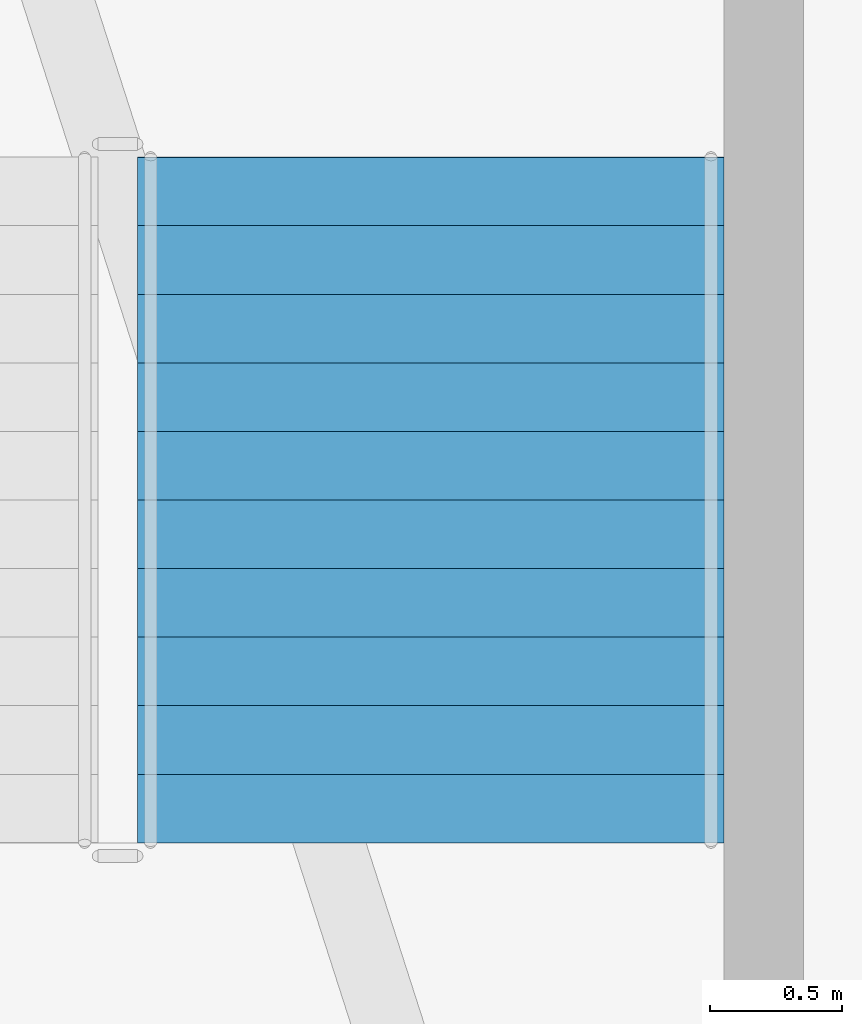
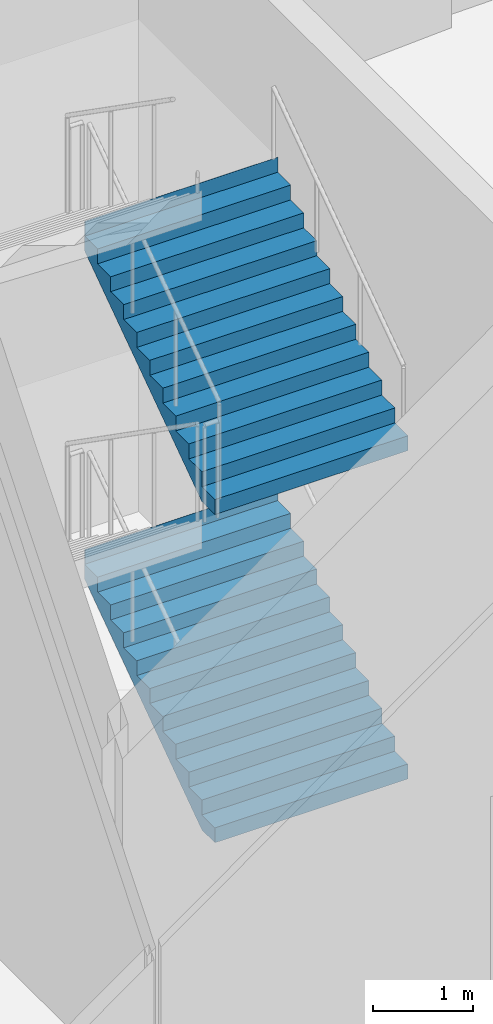
# One storey, part 30 of 36: 2 stair flights, 1 element without a shape of its own.
"""IFC4 building model written with IfcOpenShell, lengths in metres."""

from ifc_helpers import new_model, si_unit, direction, frame, origin, place, context, subcontext, project, spatial, triangles, material, type_object, element, aggregate, save


model = new_model("IFC4")

# Units and contexts
model_context = context("Model", 3, precision=1e-05, world=origin(), true_north=direction((0.0, 1.0)))
body_context = subcontext(model_context, "Body", "Model", "MODEL_VIEW")
ifc_project = project(units=[si_unit("LENGTHUNIT", "METRE"), si_unit("AREAUNIT", "SQUARE_METRE"), si_unit("VOLUMEUNIT", "CUBIC_METRE"), si_unit("PLANEANGLEUNIT", "RADIAN"), si_unit("MASSUNIT", "GRAM", prefix="KILO")], contexts=[model_context])

# Site, building, storey
site_placement = place(None, origin())
site = spatial("IfcSite", under=ifc_project, at=site_placement, CompositionType="ELEMENT")
building_placement = place(site_placement, origin())
building = spatial("IfcBuilding", under=site, at=building_placement, Name="Sahrelin Media Tower", CompositionType="ELEMENT")
storey_placement = place(building_placement, origin())
storey = spatial("IfcBuildingStorey", under=building, at=storey_placement, Name="L00", CompositionType="ELEMENT", Elevation=0.0)

# Stair, stair flights
ifc_material = material(Name="Concrete C40/50", Category="concrete")
stair_type = type_object("IfcStairType", Name="Podium stair 2225", PredefinedType="HALF_TURN_STAIR", material=ifc_material)
stair_placement = place(storey_placement, origin())
stair = element("IfcStair", 1, at=stair_placement, inside=storey, type_object=stair_type, Name="L00 Podium stair PS2", PredefinedType="HALF_TURN_STAIR")
stair_flight_type = type_object("IfcStairFlightType", Name="Stair flight 2225", PredefinedType="STRAIGHT", material=ifc_material)
stair_flight_1_placement = place(storey_placement, frame((-9.46240234375, 30.625, 0.0), z_axis=(0.0, 0.0, 1.0), x_axis=(0.0, 1.0, 0.0)))
stair_flight_1 = element("IfcStairFlight", 2, at=stair_flight_1_placement, type_object=stair_flight_type, Name="PS2 flight 1", NumberOfRisers=11, NumberOfTreads=10, PredefinedType="STRAIGHT", RiserHeight=0.181818182, TreadLength=0.26, context=body_context, shape_type="Tessellation", body=[
    triangles([(0.261474609375, 1.112548828125, 0.0), (0.261474609375, 0.794677734375, 0.0), (0.261474609375, 0.476806640625, 0.0), (0.261474609375, 0.158935546875, 0.0), (0.261474609375, -0.158935546875, 0.0), (0.261474609375, -0.476806640625, 0.0), (0.261474609375, -0.794677734375, 0.0), (0.261474609375, -1.112548828125, 0.0), (2.60009765625, 1.112548828125, 1.63525390625), (2.60009765625, 0.794677734375, 1.63525390625), (2.60009765625, 0.476806640625, 1.63525390625), (2.60009765625, 0.158935546875, 1.63525390625), (2.60009765625, -0.158935546875, 1.63525390625), (2.60009765625, -0.476806640625, 1.63525390625), (2.60009765625, -0.794677734375, 1.63525390625), (2.60009765625, -1.112548828125, 1.63525390625), (2.60009765625, 1.112548828125, 2.0), (2.60009765625, 0.794677734375, 2.0), (2.60009765625, 0.476806640625, 2.0), (2.60009765625, 0.158935546875, 2.0), (2.60009765625, -0.158935546875, 2.0), (2.60009765625, -0.476806640625, 2.0), (2.60009765625, -0.794677734375, 2.0), (2.60009765625, -1.112548828125, 2.0), (2.597900390625, 1.112548828125, 2.0), (2.597900390625, 0.794677734375, 2.0), (2.597900390625, 0.476806640625, 2.0), (2.597900390625, 0.158935546875, 2.0), (2.597900390625, -0.158935546875, 2.0), (2.597900390625, -0.476806640625, 2.0), (2.597900390625, -0.794677734375, 2.0), (2.597900390625, -1.112548828125, 2.0), (2.597900390625, 1.112548828125, 1.818115234375), (2.597900390625, 0.794677734375, 1.818115234375), (2.597900390625, 0.476806640625, 1.818115234375), (2.597900390625, 0.158935546875, 1.818115234375), (2.597900390625, -0.158935546875, 1.818115234375), (2.597900390625, -0.476806640625, 1.818115234375), (2.597900390625, -0.794677734375, 1.818115234375), (2.597900390625, -1.112548828125, 1.818115234375), (2.340087890625, 1.112548828125, 1.818115234375), (2.340087890625, 0.794677734375, 1.818115234375), (2.340087890625, 0.476806640625, 1.818115234375), (2.340087890625, 0.158935546875, 1.818115234375), (2.340087890625, -0.158935546875, 1.818115234375), (2.340087890625, -0.476806640625, 1.818115234375), (2.340087890625, -0.794677734375, 1.818115234375), (2.340087890625, -1.112548828125, 1.818115234375), (2.340087890625, 1.112548828125, 1.636474609375), (2.340087890625, 0.794677734375, 1.636474609375), (2.340087890625, 0.476806640625, 1.636474609375), (2.340087890625, 0.158935546875, 1.636474609375), (2.340087890625, -0.158935546875, 1.636474609375), (2.340087890625, -0.476806640625, 1.636474609375), (2.340087890625, -0.794677734375, 1.636474609375), (2.340087890625, -1.112548828125, 1.636474609375), (2.080078125, 1.112548828125, 1.636474609375), (2.080078125, 0.794677734375, 1.636474609375), (2.080078125, 0.476806640625, 1.636474609375), (2.080078125, 0.158935546875, 1.636474609375), (2.080078125, -0.158935546875, 1.636474609375), (2.080078125, -0.476806640625, 1.636474609375), (2.080078125, -0.794677734375, 1.636474609375), (2.080078125, -1.112548828125, 1.636474609375), (2.080078125, 1.112548828125, 1.45458984375), (2.080078125, 0.794677734375, 1.45458984375), (2.080078125, 0.476806640625, 1.45458984375), (2.080078125, 0.158935546875, 1.45458984375), (2.080078125, -0.158935546875, 1.45458984375), (2.080078125, -0.476806640625, 1.45458984375), (2.080078125, -0.794677734375, 1.45458984375), (2.080078125, -1.112548828125, 1.45458984375), (1.820068359375, 1.112548828125, 1.45458984375), (1.820068359375, 0.794677734375, 1.45458984375), (1.820068359375, 0.476806640625, 1.45458984375), (1.820068359375, 0.158935546875, 1.45458984375), (1.820068359375, -0.158935546875, 1.45458984375), (1.820068359375, -0.476806640625, 1.45458984375), (1.820068359375, -0.794677734375, 1.45458984375), (1.820068359375, -1.112548828125, 1.45458984375), (1.820068359375, 1.112548828125, 1.272705078125), (1.820068359375, 0.794677734375, 1.272705078125), (1.820068359375, 0.476806640625, 1.272705078125), (1.820068359375, 0.158935546875, 1.272705078125), (1.820068359375, -0.158935546875, 1.272705078125), (1.820068359375, -0.476806640625, 1.272705078125), (1.820068359375, -0.794677734375, 1.272705078125), (1.820068359375, -1.112548828125, 1.272705078125), (1.56005859375, 1.112548828125, 1.272705078125), (1.56005859375, 0.794677734375, 1.272705078125), (1.56005859375, 0.476806640625, 1.272705078125), (1.56005859375, 0.158935546875, 1.272705078125), (1.56005859375, -0.158935546875, 1.272705078125), (1.56005859375, -0.476806640625, 1.272705078125), (1.56005859375, -0.794677734375, 1.272705078125), (1.56005859375, -1.112548828125, 1.272705078125), (1.56005859375, 1.112548828125, 1.0908203125), (1.56005859375, 0.794677734375, 1.0908203125), (1.56005859375, 0.476806640625, 1.0908203125), (1.56005859375, 0.158935546875, 1.0908203125), (1.56005859375, -0.158935546875, 1.0908203125), (1.56005859375, -0.476806640625, 1.0908203125), (1.56005859375, -0.794677734375, 1.0908203125), (1.56005859375, -1.112548828125, 1.0908203125), (1.300048828125, 1.112548828125, 1.0908203125), (1.300048828125, 0.794677734375, 1.0908203125), (1.300048828125, 0.476806640625, 1.0908203125), (1.300048828125, 0.158935546875, 1.0908203125), (1.300048828125, -0.158935546875, 1.0908203125), (1.300048828125, -0.476806640625, 1.0908203125), (1.300048828125, -0.794677734375, 1.0908203125), (1.300048828125, -1.112548828125, 1.0908203125), (1.300048828125, 1.112548828125, 0.9091796875), (1.300048828125, 0.794677734375, 0.9091796875), (1.300048828125, 0.476806640625, 0.9091796875), (1.300048828125, 0.158935546875, 0.9091796875), (1.300048828125, -0.158935546875, 0.9091796875), (1.300048828125, -0.476806640625, 0.9091796875), (1.300048828125, -0.794677734375, 0.9091796875), (1.300048828125, -1.112548828125, 0.9091796875), (1.0400390625, 1.112548828125, 0.9091796875), (1.0400390625, 0.794677734375, 0.9091796875), (1.0400390625, 0.476806640625, 0.9091796875), (1.0400390625, 0.158935546875, 0.9091796875), (1.0400390625, -0.158935546875, 0.9091796875), (1.0400390625, -0.476806640625, 0.9091796875), (1.0400390625, -0.794677734375, 0.9091796875), (1.0400390625, -1.112548828125, 0.9091796875), (1.0400390625, 1.112548828125, 0.727294921875), (1.0400390625, 0.794677734375, 0.727294921875), (1.0400390625, 0.476806640625, 0.727294921875), (1.0400390625, 0.158935546875, 0.727294921875), (1.0400390625, -0.158935546875, 0.727294921875), (1.0400390625, -0.476806640625, 0.727294921875), (1.0400390625, -0.794677734375, 0.727294921875), (1.0400390625, -1.112548828125, 0.727294921875), (0.780029296875, 1.112548828125, 0.727294921875), (0.780029296875, 0.794677734375, 0.727294921875), (0.780029296875, 0.476806640625, 0.727294921875), (0.780029296875, 0.158935546875, 0.727294921875), (0.780029296875, -0.158935546875, 0.727294921875), (0.780029296875, -0.476806640625, 0.727294921875), (0.780029296875, -0.794677734375, 0.727294921875), (0.780029296875, -1.112548828125, 0.727294921875), (0.780029296875, 1.112548828125, 0.54541015625), (0.780029296875, 0.794677734375, 0.54541015625), (0.780029296875, 0.476806640625, 0.54541015625), (0.780029296875, 0.158935546875, 0.54541015625), (0.780029296875, -0.158935546875, 0.54541015625), (0.780029296875, -0.476806640625, 0.54541015625), (0.780029296875, -0.794677734375, 0.54541015625), (0.780029296875, -1.112548828125, 0.54541015625), (0.52001953125, 1.112548828125, 0.54541015625), (0.52001953125, 0.794677734375, 0.54541015625), (0.52001953125, 0.476806640625, 0.54541015625), (0.52001953125, 0.158935546875, 0.54541015625), (0.52001953125, -0.158935546875, 0.54541015625), (0.52001953125, -0.476806640625, 0.54541015625), (0.52001953125, -0.794677734375, 0.54541015625), (0.52001953125, -1.112548828125, 0.54541015625), (0.52001953125, 1.112548828125, 0.363525390625), (0.52001953125, 0.794677734375, 0.363525390625), (0.52001953125, 0.476806640625, 0.363525390625), (0.52001953125, 0.158935546875, 0.363525390625), (0.52001953125, -0.158935546875, 0.363525390625), (0.52001953125, -0.476806640625, 0.363525390625), (0.52001953125, -0.794677734375, 0.363525390625), (0.52001953125, -1.112548828125, 0.363525390625), (0.260009765625, 1.112548828125, 0.363525390625), (0.260009765625, 0.794677734375, 0.363525390625), (0.260009765625, 0.476806640625, 0.363525390625), (0.260009765625, 0.158935546875, 0.363525390625), (0.260009765625, -0.158935546875, 0.363525390625), (0.260009765625, -0.476806640625, 0.363525390625), (0.260009765625, -0.794677734375, 0.363525390625), (0.260009765625, -1.112548828125, 0.363525390625), (0.260009765625, 1.112548828125, 0.181884765625), (0.260009765625, 0.794677734375, 0.181884765625), (0.260009765625, 0.476806640625, 0.181884765625), (0.260009765625, 0.158935546875, 0.181884765625), (0.260009765625, -0.158935546875, 0.181884765625), (0.260009765625, -0.476806640625, 0.181884765625), (0.260009765625, -0.794677734375, 0.181884765625), (0.260009765625, -1.112548828125, 0.181884765625), (0.0, 1.112548828125, 0.181884765625), (0.0, 0.794677734375, 0.181884765625), (0.0, 0.476806640625, 0.181884765625), (0.0, 0.158935546875, 0.181884765625), (0.0, -0.158935546875, 0.181884765625), (0.0, -0.476806640625, 0.181884765625), (0.0, -0.794677734375, 0.181884765625), (0.0, -1.112548828125, 0.181884765625), (0.0, 1.112548828125, 0.0), (0.0, 0.794677734375, 0.0), (0.0, 0.476806640625, 0.0), (0.0, 0.158935546875, 0.0), (0.0, -0.158935546875, 0.0), (0.0, -0.476806640625, 0.0), (0.0, -0.794677734375, 0.0), (0.0, -1.112548828125, 0.0)], [[1, 9, 10], [1, 10, 2], [2, 10, 11], [2, 11, 3], [3, 11, 12], [3, 12, 4], [4, 12, 13], [4, 13, 5], [5, 13, 14], [5, 14, 6], [6, 14, 15], [6, 15, 7], [7, 15, 16], [7, 16, 8], [9, 17, 18], [9, 18, 10], [10, 18, 19], [10, 19, 11], [11, 19, 20], [11, 20, 12], [12, 20, 21], [12, 21, 13], [13, 21, 22], [13, 22, 14], [14, 22, 23], [14, 23, 15], [15, 23, 24], [15, 24, 16], [17, 25, 26], [17, 26, 18], [18, 26, 27], [18, 27, 19], [19, 27, 28], [19, 28, 20], [20, 28, 29], [20, 29, 21], [21, 29, 30], [21, 30, 22], [22, 30, 31], [22, 31, 23], [23, 31, 32], [23, 32, 24], [25, 33, 34], [25, 34, 26], [26, 34, 35], [26, 35, 27], [27, 35, 36], [27, 36, 28], [28, 36, 37], [28, 37, 29], [29, 37, 38], [29, 38, 30], [30, 38, 39], [30, 39, 31], [31, 39, 40], [31, 40, 32], [33, 41, 42], [33, 42, 34], [34, 42, 43], [34, 43, 35], [35, 43, 44], [35, 44, 36], [36, 44, 45], [36, 45, 37], [37, 45, 46], [37, 46, 38], [38, 46, 47], [38, 47, 39], [39, 47, 48], [39, 48, 40], [41, 49, 50], [41, 50, 42], [42, 50, 51], [42, 51, 43], [43, 51, 52], [43, 52, 44], [44, 52, 53], [44, 53, 45], [45, 53, 54], [45, 54, 46], [46, 54, 55], [46, 55, 47], [47, 55, 56], [47, 56, 48], [49, 57, 58], [49, 58, 50], [50, 58, 59], [50, 59, 51], [51, 59, 60], [51, 60, 52], [52, 60, 61], [52, 61, 53], [53, 61, 62], [53, 62, 54], [54, 62, 63], [54, 63, 55], [55, 63, 64], [55, 64, 56], [57, 65, 66], [57, 66, 58], [58, 66, 67], [58, 67, 59], [59, 67, 68], [59, 68, 60], [60, 68, 69], [60, 69, 61], [61, 69, 70], [61, 70, 62], [62, 70, 71], [62, 71, 63], [63, 71, 72], [63, 72, 64], [65, 73, 74], [65, 74, 66], [66, 74, 75], [66, 75, 67], [67, 75, 76], [67, 76, 68], [68, 76, 77], [68, 77, 69], [69, 77, 78], [69, 78, 70], [70, 78, 79], [70, 79, 71], [71, 79, 80], [71, 80, 72], [73, 81, 82], [73, 82, 74], [74, 82, 83], [74, 83, 75], [75, 83, 84], [75, 84, 76], [76, 84, 85], [76, 85, 77], [77, 85, 86], [77, 86, 78], [78, 86, 87], [78, 87, 79], [79, 87, 88], [79, 88, 80], [81, 89, 90], [81, 90, 82], [82, 90, 91], [82, 91, 83], [83, 91, 92], [83, 92, 84], [84, 92, 93], [84, 93, 85], [85, 93, 94], [85, 94, 86], [86, 94, 95], [86, 95, 87], [87, 95, 96], [87, 96, 88], [89, 97, 98], [89, 98, 90], [90, 98, 99], [90, 99, 91], [91, 99, 100], [91, 100, 92], [92, 100, 101], [92, 101, 93], [93, 101, 102], [93, 102, 94], [94, 102, 103], [94, 103, 95], [95, 103, 104], [95, 104, 96], [97, 105, 106], [97, 106, 98], [98, 106, 107], [98, 107, 99], [99, 107, 108], [99, 108, 100], [100, 108, 109], [100, 109, 101], [101, 109, 110], [101, 110, 102], [102, 110, 111], [102, 111, 103], [103, 111, 112], [103, 112, 104], [105, 113, 114], [105, 114, 106], [106, 114, 115], [106, 115, 107], [107, 115, 116], [107, 116, 108], [108, 116, 117], [108, 117, 109], [109, 117, 118], [109, 118, 110], [110, 118, 119], [110, 119, 111], [111, 119, 120], [111, 120, 112], [113, 121, 122], [113, 122, 114], [114, 122, 123], [114, 123, 115], [115, 123, 124], [115, 124, 116], [116, 124, 125], [116, 125, 117], [117, 125, 126], [117, 126, 118], [118, 126, 127], [118, 127, 119], [119, 127, 128], [119, 128, 120], [121, 129, 130], [121, 130, 122], [122, 130, 131], [122, 131, 123], [123, 131, 132], [123, 132, 124], [124, 132, 133], [124, 133, 125], [125, 133, 134], [125, 134, 126], [126, 134, 135], [126, 135, 127], [127, 135, 136], [127, 136, 128], [129, 137, 138], [129, 138, 130], [130, 138, 139], [130, 139, 131], [131, 139, 140], [131, 140, 132], [132, 140, 141], [132, 141, 133], [133, 141, 142], [133, 142, 134], [134, 142, 143], [134, 143, 135], [135, 143, 144], [135, 144, 136], [137, 145, 146], [137, 146, 138], [138, 146, 147], [138, 147, 139], [139, 147, 148], [139, 148, 140], [140, 148, 149], [140, 149, 141], [141, 149, 150], [141, 150, 142], [142, 150, 151], [142, 151, 143], [143, 151, 152], [143, 152, 144], [145, 153, 154], [145, 154, 146], [146, 154, 155], [146, 155, 147], [147, 155, 156], [147, 156, 148], [148, 156, 157], [148, 157, 149], [149, 157, 158], [149, 158, 150], [150, 158, 159], [150, 159, 151], [151, 159, 160], [151, 160, 152], [153, 161, 162], [153, 162, 154], [154, 162, 163], [154, 163, 155], [155, 163, 164], [155, 164, 156], [156, 164, 165], [156, 165, 157], [157, 165, 166], [157, 166, 158], [158, 166, 167], [158, 167, 159], [159, 167, 168], [159, 168, 160], [161, 169, 170], [161, 170, 162], [162, 170, 171], [162, 171, 163], [163, 171, 172], [163, 172, 164], [164, 172, 173], [164, 173, 165], [165, 173, 174], [165, 174, 166], [166, 174, 175], [166, 175, 167], [167, 175, 176], [167, 176, 168], [169, 177, 178], [169, 178, 170], [170, 178, 179], [170, 179, 171], [171, 179, 180], [171, 180, 172], [172, 180, 181], [172, 181, 173], [173, 181, 182], [173, 182, 174], [174, 182, 183], [174, 183, 175], [175, 183, 184], [175, 184, 176], [177, 185, 186], [177, 186, 178], [178, 186, 187], [178, 187, 179], [179, 187, 188], [179, 188, 180], [180, 188, 189], [180, 189, 181], [181, 189, 190], [181, 190, 182], [182, 190, 191], [182, 191, 183], [183, 191, 192], [183, 192, 184], [185, 193, 194], [185, 194, 186], [186, 194, 195], [186, 195, 187], [187, 195, 196], [187, 196, 188], [188, 196, 197], [188, 197, 189], [189, 197, 198], [189, 198, 190], [190, 198, 199], [190, 199, 191], [191, 199, 200], [191, 200, 192], [193, 1, 2], [193, 2, 194], [194, 2, 3], [194, 3, 195], [195, 3, 4], [195, 4, 196], [196, 4, 5], [196, 5, 197], [197, 5, 6], [197, 6, 198], [198, 6, 7], [198, 7, 199], [199, 7, 8], [199, 8, 200], [184, 192, 200], [177, 193, 185], [184, 168, 176], [177, 169, 161], [168, 152, 160], [161, 153, 145], [152, 136, 144], [145, 137, 129], [136, 120, 128], [129, 121, 113], [120, 104, 112], [113, 105, 97], [104, 88, 96], [97, 89, 81], [88, 72, 80], [81, 73, 65], [72, 56, 64], [65, 57, 49], [56, 40, 48], [49, 41, 33], [40, 24, 32], [33, 25, 17], [200, 8, 184], [193, 177, 1], [40, 16, 24], [33, 17, 9], [168, 184, 8], [161, 1, 177], [56, 16, 40], [49, 33, 9], [152, 168, 8], [145, 1, 161], [72, 16, 56], [65, 49, 9], [136, 152, 8], [129, 1, 145], [88, 16, 72], [81, 65, 9], [120, 136, 8], [113, 1, 129], [104, 16, 88], [97, 81, 9], [8, 16, 120], [1, 113, 9], [120, 16, 104], [113, 97, 9]], closed=True),
])
stair_flight_2_placement = place(storey_placement, frame((-9.46240234375, 30.625, 4.0), z_axis=(0.0, 0.0, 1.0), x_axis=(0.0, 1.0, 0.0)))
stair_flight_2 = element("IfcStairFlight", 3, at=stair_flight_2_placement, type_object=stair_flight_type, Name="PS2 flight 3", NumberOfRisers=11, NumberOfTreads=10, PredefinedType="STRAIGHT", RiserHeight=0.181818182, TreadLength=0.26, context=body_context, shape_type="Tessellation", body=[
    triangles([(0.261474609375, 1.112548828125, 0.0), (0.261474609375, 0.794677734375, 0.0), (0.261474609375, 0.476806640625, 0.0), (0.261474609375, 0.158935546875, 0.0), (0.261474609375, -0.158935546875, 0.0), (0.261474609375, -0.476806640625, 0.0), (0.261474609375, -0.794677734375, 0.0), (0.261474609375, -1.112548828125, 0.0), (2.60009765625, 1.112548828125, 1.63525390625), (2.60009765625, 0.794677734375, 1.63525390625), (2.60009765625, 0.476806640625, 1.63525390625), (2.60009765625, 0.158935546875, 1.63525390625), (2.60009765625, -0.158935546875, 1.63525390625), (2.60009765625, -0.476806640625, 1.63525390625), (2.60009765625, -0.794677734375, 1.63525390625), (2.60009765625, -1.112548828125, 1.63525390625), (2.60009765625, 1.112548828125, 2.0), (2.60009765625, 0.794677734375, 2.0), (2.60009765625, 0.476806640625, 2.0), (2.60009765625, 0.158935546875, 2.0), (2.60009765625, -0.158935546875, 2.0), (2.60009765625, -0.476806640625, 2.0), (2.60009765625, -0.794677734375, 2.0), (2.60009765625, -1.112548828125, 2.0), (2.597900390625, 1.112548828125, 2.0), (2.597900390625, 0.794677734375, 2.0), (2.597900390625, 0.476806640625, 2.0), (2.597900390625, 0.158935546875, 2.0), (2.597900390625, -0.158935546875, 2.0), (2.597900390625, -0.476806640625, 2.0), (2.597900390625, -0.794677734375, 2.0), (2.597900390625, -1.112548828125, 2.0), (2.597900390625, 1.112548828125, 1.818115234375), (2.597900390625, 0.794677734375, 1.818115234375), (2.597900390625, 0.476806640625, 1.818115234375), (2.597900390625, 0.158935546875, 1.818115234375), (2.597900390625, -0.158935546875, 1.818115234375), (2.597900390625, -0.476806640625, 1.818115234375), (2.597900390625, -0.794677734375, 1.818115234375), (2.597900390625, -1.112548828125, 1.818115234375), (2.340087890625, 1.112548828125, 1.818115234375), (2.340087890625, 0.794677734375, 1.818115234375), (2.340087890625, 0.476806640625, 1.818115234375), (2.340087890625, 0.158935546875, 1.818115234375), (2.340087890625, -0.158935546875, 1.818115234375), (2.340087890625, -0.476806640625, 1.818115234375), (2.340087890625, -0.794677734375, 1.818115234375), (2.340087890625, -1.112548828125, 1.818115234375), (2.340087890625, 1.112548828125, 1.636474609375), (2.340087890625, 0.794677734375, 1.636474609375), (2.340087890625, 0.476806640625, 1.636474609375), (2.340087890625, 0.158935546875, 1.636474609375), (2.340087890625, -0.158935546875, 1.636474609375), (2.340087890625, -0.476806640625, 1.636474609375), (2.340087890625, -0.794677734375, 1.636474609375), (2.340087890625, -1.112548828125, 1.636474609375), (2.080078125, 1.112548828125, 1.636474609375), (2.080078125, 0.794677734375, 1.636474609375), (2.080078125, 0.476806640625, 1.636474609375), (2.080078125, 0.158935546875, 1.636474609375), (2.080078125, -0.158935546875, 1.636474609375), (2.080078125, -0.476806640625, 1.636474609375), (2.080078125, -0.794677734375, 1.636474609375), (2.080078125, -1.112548828125, 1.636474609375), (2.080078125, 1.112548828125, 1.45458984375), (2.080078125, 0.794677734375, 1.45458984375), (2.080078125, 0.476806640625, 1.45458984375), (2.080078125, 0.158935546875, 1.45458984375), (2.080078125, -0.158935546875, 1.45458984375), (2.080078125, -0.476806640625, 1.45458984375), (2.080078125, -0.794677734375, 1.45458984375), (2.080078125, -1.112548828125, 1.45458984375), (1.820068359375, 1.112548828125, 1.45458984375), (1.820068359375, 0.794677734375, 1.45458984375), (1.820068359375, 0.476806640625, 1.45458984375), (1.820068359375, 0.158935546875, 1.45458984375), (1.820068359375, -0.158935546875, 1.45458984375), (1.820068359375, -0.476806640625, 1.45458984375), (1.820068359375, -0.794677734375, 1.45458984375), (1.820068359375, -1.112548828125, 1.45458984375), (1.820068359375, 1.112548828125, 1.272705078125), (1.820068359375, 0.794677734375, 1.272705078125), (1.820068359375, 0.476806640625, 1.272705078125), (1.820068359375, 0.158935546875, 1.272705078125), (1.820068359375, -0.158935546875, 1.272705078125), (1.820068359375, -0.476806640625, 1.272705078125), (1.820068359375, -0.794677734375, 1.272705078125), (1.820068359375, -1.112548828125, 1.272705078125), (1.56005859375, 1.112548828125, 1.272705078125), (1.56005859375, 0.794677734375, 1.272705078125), (1.56005859375, 0.476806640625, 1.272705078125), (1.56005859375, 0.158935546875, 1.272705078125), (1.56005859375, -0.158935546875, 1.272705078125), (1.56005859375, -0.476806640625, 1.272705078125), (1.56005859375, -0.794677734375, 1.272705078125), (1.56005859375, -1.112548828125, 1.272705078125), (1.56005859375, 1.112548828125, 1.0908203125), (1.56005859375, 0.794677734375, 1.0908203125), (1.56005859375, 0.476806640625, 1.0908203125), (1.56005859375, 0.158935546875, 1.0908203125), (1.56005859375, -0.158935546875, 1.0908203125), (1.56005859375, -0.476806640625, 1.0908203125), (1.56005859375, -0.794677734375, 1.0908203125), (1.56005859375, -1.112548828125, 1.0908203125), (1.300048828125, 1.112548828125, 1.0908203125), (1.300048828125, 0.794677734375, 1.0908203125), (1.300048828125, 0.476806640625, 1.0908203125), (1.300048828125, 0.158935546875, 1.0908203125), (1.300048828125, -0.158935546875, 1.0908203125), (1.300048828125, -0.476806640625, 1.0908203125), (1.300048828125, -0.794677734375, 1.0908203125), (1.300048828125, -1.112548828125, 1.0908203125), (1.300048828125, 1.112548828125, 0.9091796875), (1.300048828125, 0.794677734375, 0.9091796875), (1.300048828125, 0.476806640625, 0.9091796875), (1.300048828125, 0.158935546875, 0.9091796875), (1.300048828125, -0.158935546875, 0.9091796875), (1.300048828125, -0.476806640625, 0.9091796875), (1.300048828125, -0.794677734375, 0.9091796875), (1.300048828125, -1.112548828125, 0.9091796875), (1.0400390625, 1.112548828125, 0.9091796875), (1.0400390625, 0.794677734375, 0.9091796875), (1.0400390625, 0.476806640625, 0.9091796875), (1.0400390625, 0.158935546875, 0.9091796875), (1.0400390625, -0.158935546875, 0.9091796875), (1.0400390625, -0.476806640625, 0.9091796875), (1.0400390625, -0.794677734375, 0.9091796875), (1.0400390625, -1.112548828125, 0.9091796875), (1.0400390625, 1.112548828125, 0.727294921875), (1.0400390625, 0.794677734375, 0.727294921875), (1.0400390625, 0.476806640625, 0.727294921875), (1.0400390625, 0.158935546875, 0.727294921875), (1.0400390625, -0.158935546875, 0.727294921875), (1.0400390625, -0.476806640625, 0.727294921875), (1.0400390625, -0.794677734375, 0.727294921875), (1.0400390625, -1.112548828125, 0.727294921875), (0.780029296875, 1.112548828125, 0.727294921875), (0.780029296875, 0.794677734375, 0.727294921875), (0.780029296875, 0.476806640625, 0.727294921875), (0.780029296875, 0.158935546875, 0.727294921875), (0.780029296875, -0.158935546875, 0.727294921875), (0.780029296875, -0.476806640625, 0.727294921875), (0.780029296875, -0.794677734375, 0.727294921875), (0.780029296875, -1.112548828125, 0.727294921875), (0.780029296875, 1.112548828125, 0.54541015625), (0.780029296875, 0.794677734375, 0.54541015625), (0.780029296875, 0.476806640625, 0.54541015625), (0.780029296875, 0.158935546875, 0.54541015625), (0.780029296875, -0.158935546875, 0.54541015625), (0.780029296875, -0.476806640625, 0.54541015625), (0.780029296875, -0.794677734375, 0.54541015625), (0.780029296875, -1.112548828125, 0.54541015625), (0.52001953125, 1.112548828125, 0.54541015625), (0.52001953125, 0.794677734375, 0.54541015625), (0.52001953125, 0.476806640625, 0.54541015625), (0.52001953125, 0.158935546875, 0.54541015625), (0.52001953125, -0.158935546875, 0.54541015625), (0.52001953125, -0.476806640625, 0.54541015625), (0.52001953125, -0.794677734375, 0.54541015625), (0.52001953125, -1.112548828125, 0.54541015625), (0.52001953125, 1.112548828125, 0.363525390625), (0.52001953125, 0.794677734375, 0.363525390625), (0.52001953125, 0.476806640625, 0.363525390625), (0.52001953125, 0.158935546875, 0.363525390625), (0.52001953125, -0.158935546875, 0.363525390625), (0.52001953125, -0.476806640625, 0.363525390625), (0.52001953125, -0.794677734375, 0.363525390625), (0.52001953125, -1.112548828125, 0.363525390625), (0.260009765625, 1.112548828125, 0.363525390625), (0.260009765625, 0.794677734375, 0.363525390625), (0.260009765625, 0.476806640625, 0.363525390625), (0.260009765625, 0.158935546875, 0.363525390625), (0.260009765625, -0.158935546875, 0.363525390625), (0.260009765625, -0.476806640625, 0.363525390625), (0.260009765625, -0.794677734375, 0.363525390625), (0.260009765625, -1.112548828125, 0.363525390625), (0.260009765625, 1.112548828125, 0.181884765625), (0.260009765625, 0.794677734375, 0.181884765625), (0.260009765625, 0.476806640625, 0.181884765625), (0.260009765625, 0.158935546875, 0.181884765625), (0.260009765625, -0.158935546875, 0.181884765625), (0.260009765625, -0.476806640625, 0.181884765625), (0.260009765625, -0.794677734375, 0.181884765625), (0.260009765625, -1.112548828125, 0.181884765625), (0.0, 1.112548828125, 0.181884765625), (0.0, 0.794677734375, 0.181884765625), (0.0, 0.476806640625, 0.181884765625), (0.0, 0.158935546875, 0.181884765625), (0.0, -0.158935546875, 0.181884765625), (0.0, -0.476806640625, 0.181884765625), (0.0, -0.794677734375, 0.181884765625), (0.0, -1.112548828125, 0.181884765625), (0.0, 1.112548828125, 0.0), (0.0, 0.794677734375, 0.0), (0.0, 0.476806640625, 0.0), (0.0, 0.158935546875, 0.0), (0.0, -0.158935546875, 0.0), (0.0, -0.476806640625, 0.0), (0.0, -0.794677734375, 0.0), (0.0, -1.112548828125, 0.0)], [[1, 9, 10], [1, 10, 2], [2, 10, 11], [2, 11, 3], [3, 11, 12], [3, 12, 4], [4, 12, 13], [4, 13, 5], [5, 13, 14], [5, 14, 6], [6, 14, 15], [6, 15, 7], [7, 15, 16], [7, 16, 8], [9, 17, 18], [9, 18, 10], [10, 18, 19], [10, 19, 11], [11, 19, 20], [11, 20, 12], [12, 20, 21], [12, 21, 13], [13, 21, 22], [13, 22, 14], [14, 22, 23], [14, 23, 15], [15, 23, 24], [15, 24, 16], [17, 25, 26], [17, 26, 18], [18, 26, 27], [18, 27, 19], [19, 27, 28], [19, 28, 20], [20, 28, 29], [20, 29, 21], [21, 29, 30], [21, 30, 22], [22, 30, 31], [22, 31, 23], [23, 31, 32], [23, 32, 24], [25, 33, 34], [25, 34, 26], [26, 34, 35], [26, 35, 27], [27, 35, 36], [27, 36, 28], [28, 36, 37], [28, 37, 29], [29, 37, 38], [29, 38, 30], [30, 38, 39], [30, 39, 31], [31, 39, 40], [31, 40, 32], [33, 41, 42], [33, 42, 34], [34, 42, 43], [34, 43, 35], [35, 43, 44], [35, 44, 36], [36, 44, 45], [36, 45, 37], [37, 45, 46], [37, 46, 38], [38, 46, 47], [38, 47, 39], [39, 47, 48], [39, 48, 40], [41, 49, 50], [41, 50, 42], [42, 50, 51], [42, 51, 43], [43, 51, 52], [43, 52, 44], [44, 52, 53], [44, 53, 45], [45, 53, 54], [45, 54, 46], [46, 54, 55], [46, 55, 47], [47, 55, 56], [47, 56, 48], [49, 57, 58], [49, 58, 50], [50, 58, 59], [50, 59, 51], [51, 59, 60], [51, 60, 52], [52, 60, 61], [52, 61, 53], [53, 61, 62], [53, 62, 54], [54, 62, 63], [54, 63, 55], [55, 63, 64], [55, 64, 56], [57, 65, 66], [57, 66, 58], [58, 66, 67], [58, 67, 59], [59, 67, 68], [59, 68, 60], [60, 68, 69], [60, 69, 61], [61, 69, 70], [61, 70, 62], [62, 70, 71], [62, 71, 63], [63, 71, 72], [63, 72, 64], [65, 73, 74], [65, 74, 66], [66, 74, 75], [66, 75, 67], [67, 75, 76], [67, 76, 68], [68, 76, 77], [68, 77, 69], [69, 77, 78], [69, 78, 70], [70, 78, 79], [70, 79, 71], [71, 79, 80], [71, 80, 72], [73, 81, 82], [73, 82, 74], [74, 82, 83], [74, 83, 75], [75, 83, 84], [75, 84, 76], [76, 84, 85], [76, 85, 77], [77, 85, 86], [77, 86, 78], [78, 86, 87], [78, 87, 79], [79, 87, 88], [79, 88, 80], [81, 89, 90], [81, 90, 82], [82, 90, 91], [82, 91, 83], [83, 91, 92], [83, 92, 84], [84, 92, 93], [84, 93, 85], [85, 93, 94], [85, 94, 86], [86, 94, 95], [86, 95, 87], [87, 95, 96], [87, 96, 88], [89, 97, 98], [89, 98, 90], [90, 98, 99], [90, 99, 91], [91, 99, 100], [91, 100, 92], [92, 100, 101], [92, 101, 93], [93, 101, 102], [93, 102, 94], [94, 102, 103], [94, 103, 95], [95, 103, 104], [95, 104, 96], [97, 105, 106], [97, 106, 98], [98, 106, 107], [98, 107, 99], [99, 107, 108], [99, 108, 100], [100, 108, 109], [100, 109, 101], [101, 109, 110], [101, 110, 102], [102, 110, 111], [102, 111, 103], [103, 111, 112], [103, 112, 104], [105, 113, 114], [105, 114, 106], [106, 114, 115], [106, 115, 107], [107, 115, 116], [107, 116, 108], [108, 116, 117], [108, 117, 109], [109, 117, 118], [109, 118, 110], [110, 118, 119], [110, 119, 111], [111, 119, 120], [111, 120, 112], [113, 121, 122], [113, 122, 114], [114, 122, 123], [114, 123, 115], [115, 123, 124], [115, 124, 116], [116, 124, 125], [116, 125, 117], [117, 125, 126], [117, 126, 118], [118, 126, 127], [118, 127, 119], [119, 127, 128], [119, 128, 120], [121, 129, 130], [121, 130, 122], [122, 130, 131], [122, 131, 123], [123, 131, 132], [123, 132, 124], [124, 132, 133], [124, 133, 125], [125, 133, 134], [125, 134, 126], [126, 134, 135], [126, 135, 127], [127, 135, 136], [127, 136, 128], [129, 137, 138], [129, 138, 130], [130, 138, 139], [130, 139, 131], [131, 139, 140], [131, 140, 132], [132, 140, 141], [132, 141, 133], [133, 141, 142], [133, 142, 134], [134, 142, 143], [134, 143, 135], [135, 143, 144], [135, 144, 136], [137, 145, 146], [137, 146, 138], [138, 146, 147], [138, 147, 139], [139, 147, 148], [139, 148, 140], [140, 148, 149], [140, 149, 141], [141, 149, 150], [141, 150, 142], [142, 150, 151], [142, 151, 143], [143, 151, 152], [143, 152, 144], [145, 153, 154], [145, 154, 146], [146, 154, 155], [146, 155, 147], [147, 155, 156], [147, 156, 148], [148, 156, 157], [148, 157, 149], [149, 157, 158], [149, 158, 150], [150, 158, 159], [150, 159, 151], [151, 159, 160], [151, 160, 152], [153, 161, 162], [153, 162, 154], [154, 162, 163], [154, 163, 155], [155, 163, 164], [155, 164, 156], [156, 164, 165], [156, 165, 157], [157, 165, 166], [157, 166, 158], [158, 166, 167], [158, 167, 159], [159, 167, 168], [159, 168, 160], [161, 169, 170], [161, 170, 162], [162, 170, 171], [162, 171, 163], [163, 171, 172], [163, 172, 164], [164, 172, 173], [164, 173, 165], [165, 173, 174], [165, 174, 166], [166, 174, 175], [166, 175, 167], [167, 175, 176], [167, 176, 168], [169, 177, 178], [169, 178, 170], [170, 178, 179], [170, 179, 171], [171, 179, 180], [171, 180, 172], [172, 180, 181], [172, 181, 173], [173, 181, 182], [173, 182, 174], [174, 182, 183], [174, 183, 175], [175, 183, 184], [175, 184, 176], [177, 185, 186], [177, 186, 178], [178, 186, 187], [178, 187, 179], [179, 187, 188], [179, 188, 180], [180, 188, 189], [180, 189, 181], [181, 189, 190], [181, 190, 182], [182, 190, 191], [182, 191, 183], [183, 191, 192], [183, 192, 184], [185, 193, 194], [185, 194, 186], [186, 194, 195], [186, 195, 187], [187, 195, 196], [187, 196, 188], [188, 196, 197], [188, 197, 189], [189, 197, 198], [189, 198, 190], [190, 198, 199], [190, 199, 191], [191, 199, 200], [191, 200, 192], [193, 1, 2], [193, 2, 194], [194, 2, 3], [194, 3, 195], [195, 3, 4], [195, 4, 196], [196, 4, 5], [196, 5, 197], [197, 5, 6], [197, 6, 198], [198, 6, 7], [198, 7, 199], [199, 7, 8], [199, 8, 200], [184, 192, 200], [177, 193, 185], [184, 168, 176], [177, 169, 161], [168, 152, 160], [161, 153, 145], [152, 136, 144], [145, 137, 129], [136, 120, 128], [129, 121, 113], [120, 104, 112], [113, 105, 97], [104, 88, 96], [97, 89, 81], [88, 72, 80], [81, 73, 65], [72, 56, 64], [65, 57, 49], [56, 40, 48], [49, 41, 33], [40, 24, 32], [33, 25, 17], [200, 8, 184], [193, 177, 1], [40, 16, 24], [33, 17, 9], [168, 184, 8], [161, 1, 177], [56, 16, 40], [49, 33, 9], [152, 168, 8], [145, 1, 161], [72, 16, 56], [65, 49, 9], [136, 152, 8], [129, 1, 145], [88, 16, 72], [81, 65, 9], [120, 136, 8], [113, 1, 129], [104, 16, 88], [97, 81, 9], [8, 16, 120], [1, 113, 9], [120, 16, 104], [113, 97, 9]], closed=True),
])
aggregate(stair, [stair_flight_1, stair_flight_2])

save(model, "model.ifc")
